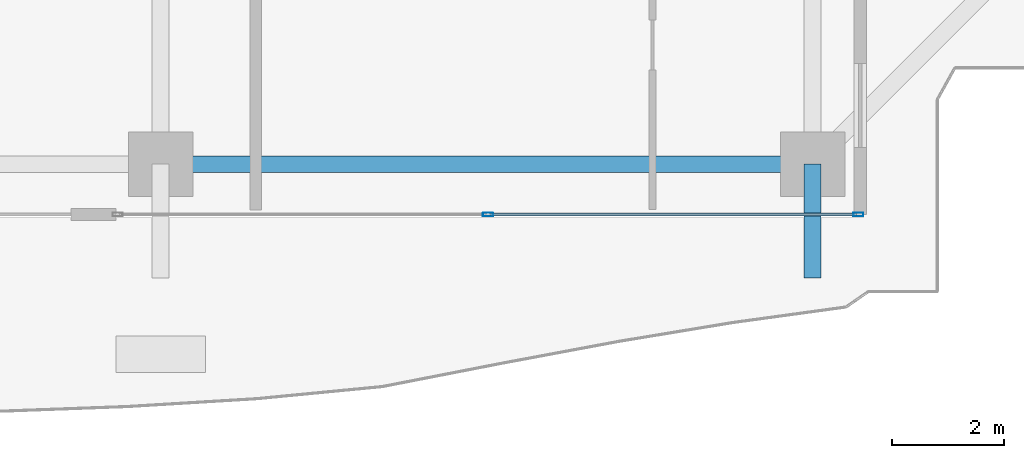
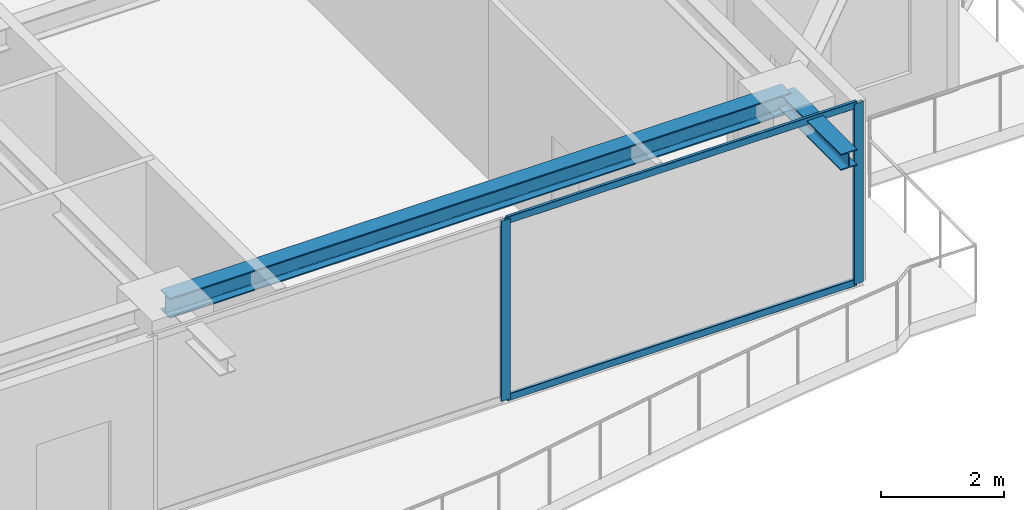
# One storey, part 11 of 38: 4 members, 2 beams, 1 element without a shape of its own.
"""IFC4 building model written with IfcOpenShell, lengths in metres."""

from ifc_helpers import new_model, si_unit, direction, frame, origin, origin_2d, place, context, subcontext, project, spatial, hollow_rectangle, i_section, extrude, source, transform, mapped, material, layer, layer_set, material_profile, profile_set, type_object, element, aggregate, save


model = new_model("IFC4")

# Units and contexts
model_context = context("Model", 3, precision=1e-05, world=origin(), true_north=direction((0.0, 1.0)))
body_context = subcontext(model_context, "Body", "Model", "MODEL_VIEW")
ifc_project = project(units=[si_unit("LENGTHUNIT", "METRE"), si_unit("AREAUNIT", "SQUARE_METRE"), si_unit("VOLUMEUNIT", "CUBIC_METRE"), si_unit("PLANEANGLEUNIT", "RADIAN"), si_unit("MASSUNIT", "GRAM", prefix="KILO")], contexts=[model_context])

# Site, building, storey
site_placement = place(None, origin())
site = spatial("IfcSite", under=ifc_project, at=site_placement, CompositionType="ELEMENT")
building_placement = place(site_placement, origin())
building = spatial("IfcBuilding", under=site, at=building_placement, Name="Serunith Strait Residences", CompositionType="ELEMENT")
storey_placement = place(building_placement, frame((0.0, 0.0, 245.10009765625)))
storey = spatial("IfcBuildingStorey", under=building, at=storey_placement, Name="L61", CompositionType="ELEMENT", Elevation=245.10009765625)

# Beams
ifc_material_1 = material(Name="Steel S355J2", Category="steel")
ifc_material_profile_1 = material_profile(ifc_material_1, i_section(OverallWidth=0.300048828125, OverallDepth=0.39990234375, WebThickness=0.013427734375, FlangeThickness=0.02392578125, FilletRadius=0.027099609375, at=origin_2d()), Name="HEB 400")
ifc_profile_set_1 = profile_set([ifc_material_profile_1], Name="Steel S355J2")
beam_type_1 = type_object("IfcBeamType", Name="BM-HEB400", PredefinedType="BEAM", material=ifc_profile_set_1)
shared_shape_1 = source(origin(), body_context, "Body", "SweptSolid", [
    extrude(i_section(OverallWidth=0.300048828125, OverallDepth=0.39990234375, WebThickness=0.013427734375, FlangeThickness=0.02392578125, FilletRadius=0.027099609375, at=origin_2d()), origin(), (0.0, 0.0, 1.0), 11.650146484375),
])
beam_1_placement = place(storey_placement, frame((36.89990234375, 2.10009765625, 3.386962890625), z_axis=(1.0, 0.0, 0.0), x_axis=(0.0, 1.0, 0.0)))
element("IfcBeam", 1, at=beam_1_placement, inside=storey, type_object=beam_type_1, Name="L61 Perimeter Ring Beam 03", PredefinedType="BEAM", context=body_context, shape_type="MappedRepresentation", body=[
    mapped(shared_shape_1, transform((0.0, 0.0, 0.0), scale=1.0)),
])
ifc_material_profile_2 = material_profile(ifc_material_1, i_section(OverallWidth=0.300048828125, OverallDepth=0.320068359375, WebThickness=0.011474609375, FlangeThickness=0.0205078125, FilletRadius=0.027099609375, at=origin_2d()), Name="HEB 320")
ifc_profile_set_2 = profile_set([ifc_material_profile_2], Name="Steel S355J2")
beam_type_2 = type_object("IfcBeamType", Name="BM-HEB320", PredefinedType="BEAM", material=ifc_profile_set_2)
shared_shape_2 = source(origin(), body_context, "Body", "SweptSolid", [
    extrude(i_section(OverallWidth=0.300048828125, OverallDepth=0.320068359375, WebThickness=0.011474609375, FlangeThickness=0.0205078125, FilletRadius=0.027099609375, at=origin_2d()), origin(), (0.0, 0.0, 1.0), 2.030029296875),
])
beam_2_placement = place(storey_placement, frame((48.550048828125, 2.10009765625, 3.39697265625), z_axis=(0.0, -1.0, 0.0), x_axis=(1.0, 0.0, 0.0)))
element("IfcBeam", 2, at=beam_2_placement, inside=storey, type_object=beam_type_2, Name="L62 Cantilevered Balcony Rib TC-S4", PredefinedType="BEAM", context=body_context, shape_type="MappedRepresentation", body=[
    mapped(shared_shape_2, transform((0.0, 0.0, 0.0), scale=1.0)),
])

# Curtain wall, members
ifc_material_2 = material(Name="Pale-Champagne Anodised Aluminium", Category="aluminium")
ifc_layer = layer(ifc_material_2, 0.199951171875, Name="Pale-Champagne Anodised Aluminium")
ifc_layer_set = layer_set([ifc_layer], Name="Pale-Champagne Anodised Aluminium")
curtain_wall_type = type_object("IfcCurtainWallType", Name="CW-SYS4", PredefinedType="NOTDEFINED", material=ifc_layer_set)
curtain_wall_placement = place(storey_placement, origin())
curtain_wall = element("IfcCurtainWall", 3, at=curtain_wall_placement, inside=storey, type_object=curtain_wall_type, Name="L61 S Unitised Fritted Curtain Wall", PredefinedType="NOTDEFINED")
ifc_material_profile_3 = material_profile(ifc_material_2, hollow_rectangle(XDim=0.06494140625, YDim=0.179931640625, WallThickness=0.00341796875, InnerFilletRadius=0.00537109375, OuterFilletRadius=0.0087890625, at=origin_2d()), Name="ALU 180x65x3.5")
ifc_profile_set_3 = profile_set([ifc_material_profile_3], Name="Pale-Champagne Anodised Aluminium")
member_type_1 = type_object("IfcMemberType", Name="CW-SYS4-MULL", PredefinedType="MULLION", material=ifc_profile_set_3)
shared_shape_3 = source(origin(), body_context, "Body", "SweptSolid", [
    extrude(hollow_rectangle(XDim=0.06494140625, YDim=0.179931640625, WallThickness=0.00341796875, InnerFilletRadius=0.00537109375, OuterFilletRadius=0.0087890625, at=origin_2d()), origin(), (0.0, 0.0, 1.0), 3.574951171875),
])
member_1_placement = place(storey_placement, frame((42.75, 1.199951171875, 0.0), z_axis=(0.0, 0.0, 1.0), x_axis=(0.0, 1.0, 0.0)))
member_1 = element("IfcMember", 4, at=member_1_placement, type_object=member_type_1, Name="CW-4 mullion 2", PredefinedType="MULLION", context=body_context, shape_type="MappedRepresentation", body=[
    mapped(shared_shape_3, transform((0.0, 0.0, 0.0), scale=1.0)),
])
member_2_placement = place(storey_placement, frame((49.367431640625, 1.199951171875, 0.0), z_axis=(0.0, 0.0, 1.0), x_axis=(0.0, 1.0, 0.0)))
member_2 = element("IfcMember", 5, at=member_2_placement, type_object=member_type_1, Name="CW-4 mullion 3", PredefinedType="MULLION", context=body_context, shape_type="MappedRepresentation", body=[
    mapped(shared_shape_3, transform((0.0, 0.0, 0.0), scale=1.0)),
])
ifc_material_profile_4 = material_profile(ifc_material_2, hollow_rectangle(XDim=0.06005859375, YDim=0.139892578125, WallThickness=0.00341796875, InnerFilletRadius=0.00537109375, OuterFilletRadius=0.0087890625, at=origin_2d()), Name="ALU 140x60x3.5")
ifc_profile_set_4 = profile_set([ifc_material_profile_4], Name="Pale-Champagne Anodised Aluminium")
member_type_2 = type_object("IfcMemberType", Name="CW-SYS4-TRAN", PredefinedType="USERDEFINED", material=ifc_profile_set_4)
shared_shape_4 = source(origin(), body_context, "Body", "SweptSolid", [
    extrude(hollow_rectangle(XDim=0.06005859375, YDim=0.139892578125, WallThickness=0.00341796875, InnerFilletRadius=0.00537109375, OuterFilletRadius=0.0087890625, at=origin_2d()), origin(), (0.0, 0.0, 1.0), 6.552490234375),
])
member_3_placement = place(storey_placement, frame((42.782470703125, 1.199951171875, 0.02978515625), z_axis=(1.0, 0.0, 0.0), x_axis=(0.0, 1.0, 0.0)))
member_3 = element("IfcMember", 6, at=member_3_placement, type_object=member_type_2, Name="CW-4 transom 2.1", ObjectType="TRANSOM", PredefinedType="USERDEFINED", context=body_context, shape_type="MappedRepresentation", body=[
    mapped(shared_shape_4, transform((0.0, 0.0, 0.0), scale=1.0)),
])
member_4_placement = place(storey_placement, frame((42.782470703125, 1.199951171875, 3.544921875), z_axis=(1.0, 0.0, 0.0), x_axis=(0.0, 1.0, 0.0)))
member_4 = element("IfcMember", 7, at=member_4_placement, type_object=member_type_2, Name="CW-4 transom 2.2", ObjectType="TRANSOM", PredefinedType="USERDEFINED", context=body_context, shape_type="MappedRepresentation", body=[
    mapped(shared_shape_4, transform((0.0, 0.0, 0.0), scale=1.0)),
])
aggregate(curtain_wall, [member_1, member_2, member_3, member_4])

save(model, "model.ifc")
